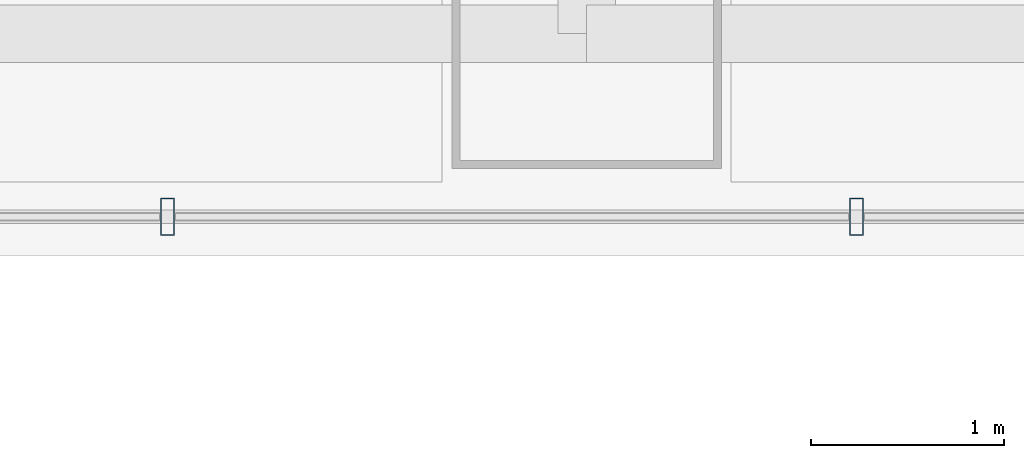
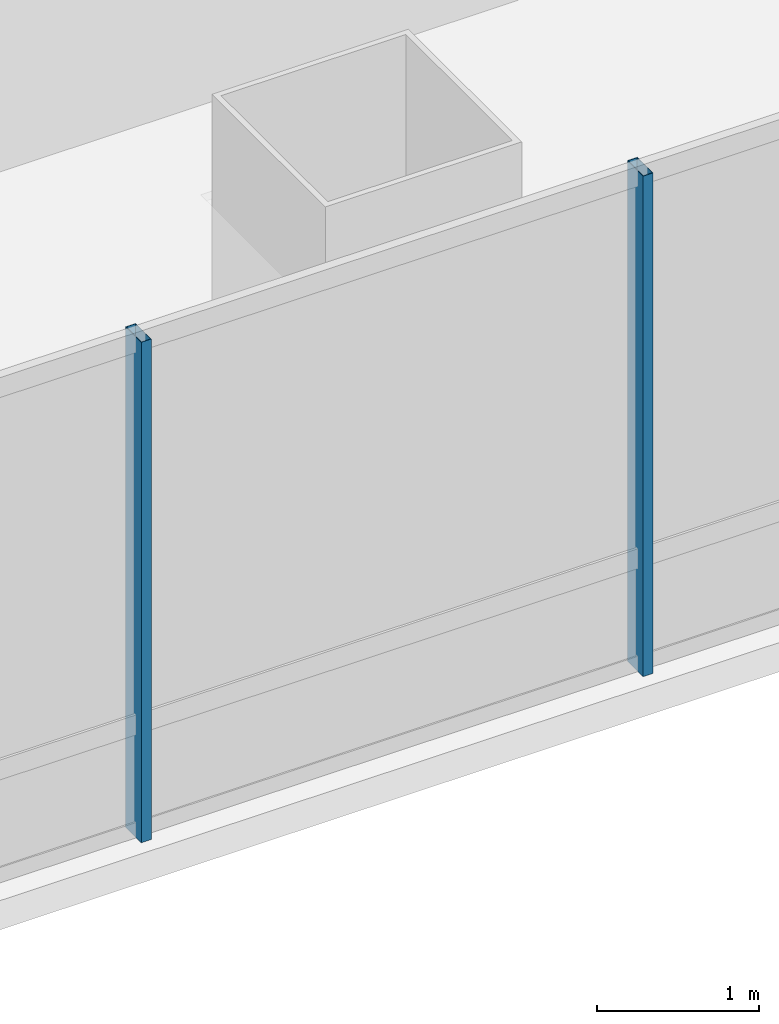
# One storey, part 6 of 47: 2 members, 1 element without a shape of its own.
"""IFC4 building model written with IfcOpenShell, lengths in metres."""

from ifc_helpers import new_model, si_unit, direction, frame, origin, origin_2d, place, context, subcontext, project, spatial, hollow_rectangle, extrude, material, material_profile, profile_set, type_object, element, aggregate, save


model = new_model("IFC4")

# Units and contexts
model_context = context("Model", 3, precision=1e-05, world=origin(), true_north=direction((0.0, 1.0)))
body_context = subcontext(model_context, "Body", "Model", "MODEL_VIEW")
ifc_project = project(units=[si_unit("LENGTHUNIT", "METRE"), si_unit("AREAUNIT", "SQUARE_METRE"), si_unit("VOLUMEUNIT", "CUBIC_METRE"), si_unit("PLANEANGLEUNIT", "RADIAN"), si_unit("MASSUNIT", "GRAM", prefix="KILO")], contexts=[model_context])

# Site, building, storey
site_placement = place(None, origin())
site = spatial("IfcSite", under=ifc_project, at=site_placement, CompositionType="ELEMENT")
building_placement = place(site_placement, origin())
building = spatial("IfcBuilding", under=site, at=building_placement, Name="Punatoya Terracotta Tower", CompositionType="ELEMENT")
storey_placement = place(building_placement, frame((0.0, 0.0, 168.14990234375)))
storey = spatial("IfcBuildingStorey", under=building, at=storey_placement, Name="L39", CompositionType="ELEMENT", Elevation=168.14990234375)

# Curtain wall, members
ifc_material_1 = material(Name="Aluminium 6063-T6 + Double Low-E Glass", Category="aluminium")
curtain_wall_type = type_object("IfcCurtainWallType", Name="CW-M2", PredefinedType="NOTDEFINED", material=ifc_material_1)
curtain_wall_placement = place(storey_placement, origin())
curtain_wall = element("IfcCurtainWall", 1, at=curtain_wall_placement, inside=storey, type_object=curtain_wall_type, Name="L39 Curtain Wall CW-L39-S01-1", PredefinedType="NOTDEFINED")
ifc_material_2 = material(Name="Aluminium 6063-T6", Category="aluminium")
ifc_material_profile = material_profile(ifc_material_2, hollow_rectangle(XDim=0.072021484375, YDim=0.195068359375, WallThickness=0.00439453125, at=origin_2d()))
ifc_profile_set = profile_set([ifc_material_profile], Name="Aluminium 6063-T6")
member_type = type_object("IfcMemberType", Name="CW-MUL-M2", PredefinedType="MULLION", material=ifc_profile_set)
member_1_placement = place(storey_placement, frame((-5.97509765625, -18.449951171875, 0.0), z_axis=(0.0, 0.0, 1.0), x_axis=(1.0, 0.0, 0.0)))
member_1 = element("IfcMember", 2, at=member_1_placement, type_object=member_type, Name="CW-L39-S01-1 Mullion 03", PredefinedType="MULLION", context=body_context, shape_type="SweptSolid", body=[
    extrude(hollow_rectangle(XDim=0.072021484375, YDim=0.195068359375, WallThickness=0.00439453125, at=origin_2d()), origin(), (0.0, 0.0, 1.0), 3.77001953125),
])
member_2_placement = place(storey_placement, frame((-2.39990234375, -18.449951171875, 0.0), z_axis=(0.0, 0.0, 1.0), x_axis=(1.0, 0.0, 0.0)))
member_2 = element("IfcMember", 3, at=member_2_placement, type_object=member_type, Name="CW-L39-S01-1 Mullion 04", PredefinedType="MULLION", context=body_context, shape_type="SweptSolid", body=[
    extrude(hollow_rectangle(XDim=0.072021484375, YDim=0.195068359375, WallThickness=0.00439453125, at=origin_2d()), origin(), (0.0, 0.0, 1.0), 3.77001953125),
])
aggregate(curtain_wall, [member_1, member_2])

save(model, "model.ifc")
